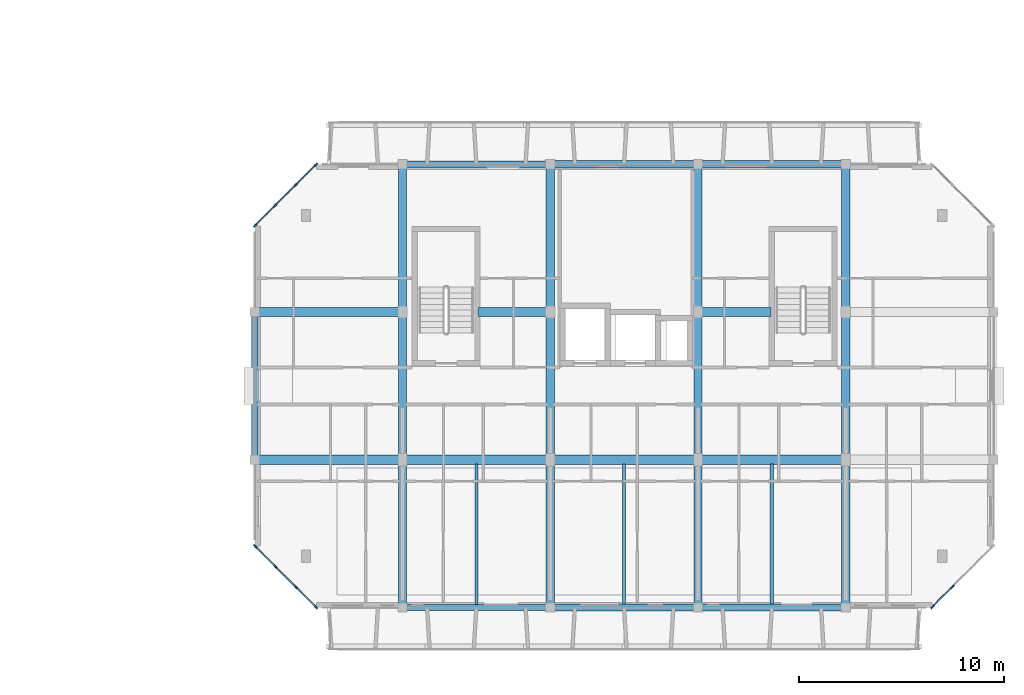
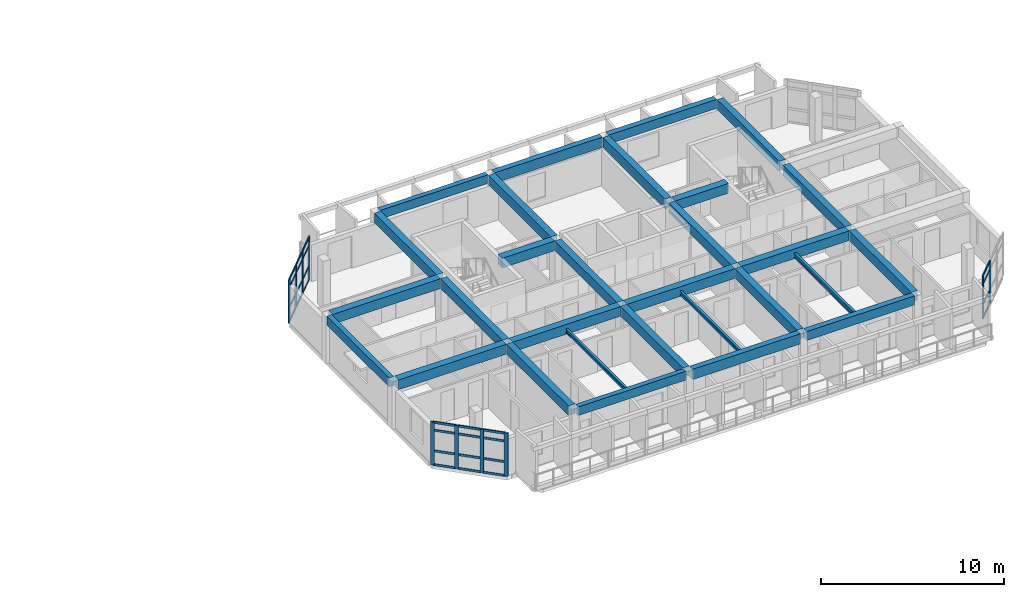
# One storey, part 5 of 31: 38 members, 29 beams, 3 elements without a shape of their own.
"""IFC4 building model written with IfcOpenShell, lengths in metres."""

import ifcopenshell
import ifcopenshell.guid

model = None  # the IFC model being written
_history = None  # IfcOwnerHistory: only IFC2X3 demands one
_inside = {}  # id of a spatial element -> (the spatial element, [elements in it])
_under = {}  # id of a project, library or spatial element -> (it, [spatial elements below it])
_declared = {}  # id of a project -> (the project, [libraries it declares])
_typed = {}  # id of a type object -> (the type object, [elements of that type])
_made_of = {}  # id of a material, layer set ... -> (it, [elements and type objects made of it])


def new_model(schema):
    """Start an empty IFC model of exactly this schema.

    Asked for "IFC4X3", IfcOpenShell would pick the latest addendum, in which some entities
    have other attributes; the version numbers below select the first issue.
    IFC2X3 requires an IfcOwnerHistory on every rooted entity: one is made here for all.
    """
    global model, _history
    if schema == "IFC4X3":
        model = ifcopenshell.file(schema_version=(4, 3, 0, 0))
    else:
        model = ifcopenshell.file(schema=schema)
    _inside.clear()
    _under.clear()
    _declared.clear()
    _typed.clear()
    _made_of.clear()
    _history = None
    if model.schema == "IFC2X3":
        org = make("IfcOrganization", Name="unknown")
        user = make(
            "IfcPersonAndOrganization",
            ThePerson=make("IfcPerson", FamilyName="unknown"),
            TheOrganization=org,
        )
        app = make(
            "IfcApplication",
            ApplicationDeveloper=org,
            Version="unknown",
            ApplicationFullName="unknown",
            ApplicationIdentifier="unknown",
        )
        _history = make(
            "IfcOwnerHistory",
            OwningUser=user,
            OwningApplication=app,
            ChangeAction="ADDED",
            CreationDate=0,
        )
    return model


def make(cls, **values):
    """One entity of the class cls with the attributes given. An attribute that is None is left unset."""
    return model.create_entity(
        cls, **{name: value for name, value in values.items() if value is not None}
    )


def rooted(cls, **values):
    """An entity with a GlobalId (a new one), such as an element, a storey or a relation."""
    return make(cls, GlobalId=ifcopenshell.guid.new(), OwnerHistory=_history, **values)


def si_unit(unit_type, name, prefix=None):
    """IfcSIUnit, for example si_unit("LENGTHUNIT", "METRE", prefix="MILLI")."""
    return make("IfcSIUnit", UnitType=unit_type, Prefix=prefix, Name=name)


def assignment(units):
    """IfcUnitAssignment: the units of a project."""
    return None if units is None else make("IfcUnitAssignment", Units=units)


def point(xyz):
    """IfcCartesianPoint."""
    return None if xyz is None else make("IfcCartesianPoint", Coordinates=xyz)


def direction(xyz):
    """IfcDirection."""
    return None if xyz is None else make("IfcDirection", DirectionRatios=xyz)


def frame(location, z_axis=None, x_axis=None):
    """IfcAxis2Placement3D, a coordinate frame: its origin and axes. An axis left out is left unset."""
    return make(
        "IfcAxis2Placement3D",
        Location=point(location),
        Axis=direction(z_axis),
        RefDirection=direction(x_axis),
    )


def frame_2d(location, x_axis=None):
    """IfcAxis2Placement2D, a coordinate frame in the plane: its origin and x axis."""
    return make(
        "IfcAxis2Placement2D", Location=point(location), RefDirection=direction(x_axis)
    )


def origin():
    """The frame at (0, 0, 0) with its axes left unset."""
    return frame((0.0, 0.0, 0.0))


def origin_2d():
    """The frame at (0, 0) in the plane with its x axis left unset."""
    return frame_2d((0.0, 0.0))


def place(relative_to, where):
    """IfcLocalPlacement: puts the frame where relative to a parent placement (None: the world)."""
    return make(
        "IfcLocalPlacement", PlacementRelTo=relative_to, RelativePlacement=where
    )


def context(
    kind, dimensions, precision=None, world=None, true_north=None, identifier=None
):
    """IfcGeometricRepresentationContext, for example the 3D "Model" context."""
    return make(
        "IfcGeometricRepresentationContext",
        ContextIdentifier=identifier,
        ContextType=kind,
        CoordinateSpaceDimension=dimensions,
        Precision=precision,
        WorldCoordinateSystem=world,
        TrueNorth=true_north,
    )


def subcontext(parent, identifier, kind, view, scale=None):
    """IfcGeometricRepresentationSubContext, for example "Body" below "Model"."""
    return make(
        "IfcGeometricRepresentationSubContext",
        ContextIdentifier=identifier,
        ContextType=kind,
        ParentContext=parent,
        TargetScale=scale,
        TargetView=view,
    )


def project(units=None, contexts=None):
    """IfcProject with its units and contexts."""
    return rooted(
        "IfcProject",
        Name="project",
        RepresentationContexts=contexts,
        UnitsInContext=assignment(units),
    )


def spatial(cls, under=None, at=None, **own):
    """A site, building, storey or space (cls), placed at a placement, below another one or the project."""
    s = rooted(cls, ObjectPlacement=at, **own)
    if under is not None:
        _under.setdefault(under.id(), (under, []))[1].append(s)
    return s


def profile(cls, at=None, kind="AREA", **sizes):
    """A parametric profile (cls). Its sizes go by their IFC names, for example OverallWidth=200.0."""
    return make(cls, ProfileType=kind, Position=at, **sizes)


def rectangle(**sizes):
    """IfcRectangleProfileDef."""
    return profile("IfcRectangleProfileDef", **sizes)


def i_section(**sizes):
    """IfcIShapeProfileDef."""
    return profile("IfcIShapeProfileDef", **sizes)


def extrude(swept, where, along, depth):
    """IfcExtrudedAreaSolid: the profile swept, set in the frame where, extruded along a direction by depth."""
    return make(
        "IfcExtrudedAreaSolid",
        SweptArea=swept,
        Position=where,
        ExtrudedDirection=direction(along),
        Depth=depth,
    )


def shape(context_of_items, identifier, shape_type, items):
    """IfcShapeRepresentation: the items that make up one representation, for example the "Body"."""
    return make(
        "IfcShapeRepresentation",
        ContextOfItems=context_of_items,
        RepresentationIdentifier=identifier,
        RepresentationType=shape_type,
        Items=items,
    )


def material(Name=None, Category=None):
    """IfcMaterial."""
    return make("IfcMaterial", Name=Name, Category=Category)


def layer(
    of_material, thickness, ventilated=None, Name=None, Category=None, Priority=None
):
    """IfcMaterialLayer: one layer of a wall or slab, of a material (None: an air gap)."""
    return make(
        "IfcMaterialLayer",
        Material=of_material,
        LayerThickness=thickness,
        IsVentilated=ventilated,
        Name=Name,
        Category=Category,
        Priority=Priority,
    )


def layer_set(layers, Name=None):
    """IfcMaterialLayerSet."""
    return make("IfcMaterialLayerSet", MaterialLayers=layers, LayerSetName=Name)


def material_profile(
    of_material, cross_section, Name=None, Category=None, Priority=None
):
    """IfcMaterialProfile: a cross section and its material."""
    return make(
        "IfcMaterialProfile",
        Name=Name,
        Material=of_material,
        Profile=cross_section,
        Priority=Priority,
        Category=Category,
    )


def profile_set(profiles, Name=None, composite=None):
    """IfcMaterialProfileSet."""
    return make(
        "IfcMaterialProfileSet",
        Name=Name,
        MaterialProfiles=profiles,
        CompositeProfile=composite,
    )


def made_of(thing, what):
    """Note that an element or type object is made of a material, layer set ...; save() writes the relation."""
    if what is not None:
        _made_of.setdefault(what.id(), (what, []))[1].append(thing)
    return thing


def type_object(cls, material=None, **own):
    """A type object (cls), such as IfcWallType, which elements share."""
    return made_of(rooted(cls, **own), material)


def element(
    cls,
    number,
    at=None,
    inside=None,
    cuts=None,
    type_object=None,
    material=None,
    context=None,
    identifier="Body",
    shape_type=None,
    held_by="IfcProductDefinitionShape",
    body=None,
    shapes=None,
    **own,
):
    """One element of the class cls, such as IfcWall. Its Tag is "e" and its number.

    at: its placement. inside: the storey or other place that contains it. cuts: it is an
    opening in that element (IfcRelVoidsElement). A single representation is given by context,
    identifier, shape_type and body (its items); several are given by shapes. held_by: the class
    of the entity that holds the representations. save() writes the other relations.
    """
    e = rooted(cls, Tag="e%d" % number, ObjectPlacement=at, **own)
    if body is not None:
        shapes = [shape(context, identifier, shape_type, body)]
    if shapes is not None:
        e.Representation = make(held_by, Representations=shapes)
    if inside is not None:
        _inside.setdefault(inside.id(), (inside, []))[1].append(e)
    if cuts is not None:
        rooted(
            "IfcRelVoidsElement", RelatingBuildingElement=cuts, RelatedOpeningElement=e
        )
    if type_object is not None:
        _typed.setdefault(type_object.id(), (type_object, []))[1].append(e)
    return made_of(e, material)


def aggregate(whole, parts):
    """IfcRelAggregates: a whole, such as a stair, and the parts it consists of."""
    return rooted("IfcRelAggregates", RelatingObject=whole, RelatedObjects=parts)


def save(model, path):
    """Write the relations noted so far, then the file.

    IfcRelAggregates (storeys below a building ...), IfcRelContainedInSpatialStructure (elements
    in a storey), IfcRelDefinesByType, IfcRelAssociatesMaterial and IfcRelDeclares: one each for
    every whole, place, type object, material and project.
    """
    for whole, parts in _under.values():
        aggregate(whole, parts)
    for where, things in _inside.values():
        rooted(
            "IfcRelContainedInSpatialStructure",
            RelatedElements=things,
            RelatingStructure=where,
        )
    for kind, things in _typed.values():
        rooted("IfcRelDefinesByType", RelatedObjects=things, RelatingType=kind)
    for what, things in _made_of.values():
        rooted("IfcRelAssociatesMaterial", RelatedObjects=things, RelatingMaterial=what)
    for by, libraries in _declared.values():
        rooted("IfcRelDeclares", RelatingContext=by, RelatedDefinitions=libraries)
    model.write(path)


model = new_model("IFC4")

# Units and contexts
model_context = context("Model", 3, precision=1e-05, world=origin(), true_north=direction((0.0, 1.0)))
body_context = subcontext(model_context, "Body", "Model", "MODEL_VIEW")
ifc_project = project(units=[si_unit("LENGTHUNIT", "METRE"), si_unit("AREAUNIT", "SQUARE_METRE"), si_unit("VOLUMEUNIT", "CUBIC_METRE"), si_unit("PLANEANGLEUNIT", "RADIAN"), si_unit("MASSUNIT", "GRAM", prefix="KILO")], contexts=[model_context])

# Site, building, storey
site_placement = place(None, origin())
site = spatial("IfcSite", under=ifc_project, at=site_placement, CompositionType="ELEMENT")
building_placement = place(site_placement, origin())
building = spatial("IfcBuilding", under=site, at=building_placement, Name="Ochrevale Crest", CompositionType="ELEMENT")
storey_placement = place(building_placement, frame((0.0, 0.0, 37.050048828125)))
storey = spatial("IfcBuildingStorey", under=building, at=storey_placement, Name="L11", CompositionType="ELEMENT", Elevation=37.050048828125)

# Beams
ifc_material_1 = material(Name="Precast concrete C50/60", Category="concrete")
ifc_material_profile_1 = material_profile(ifc_material_1, rectangle(XDim=0.39990234375, YDim=0.64990234375, at=origin_2d()), Name="PC 400x650")
ifc_profile_set_1 = profile_set([ifc_material_profile_1], Name="Precast concrete C50/60")
beam_type_1 = type_object("IfcBeamType", Name="BM-PC400x650", PredefinedType="BEAM", material=ifc_profile_set_1)
for number, where, z_axis, x_axis, name in (
    (1, (136.800048828125, 14.60498046875, 2.824951171875), (0.0, 1.0, 0.0), (-1.0, 0.0, 0.0), "Block C L11 N-S beam X=136.8"),
    (2, (136.800048828125, 21.804931640625, 2.824951171875), (0.0, 1.0, 0.0), (-1.0, 0.0, 0.0), "Block C L11 N-S beam X=136.8"),
    (3, (136.800048828125, 29.0048828125, 2.824951171875), (0.0, 1.0, 0.0), (-1.0, 0.0, 0.0), "Block C L11 N-S beam X=136.8"),
    (4, (144.0, 14.60498046875, 2.824951171875), (0.0, 1.0, 0.0), (-1.0, 0.0, 0.0), "Block C L11 N-S beam X=144.0"),
    (5, (144.0, 21.804931640625, 2.824951171875), (0.0, 1.0, 0.0), (-1.0, 0.0, 0.0), "Block C L11 N-S beam X=144.0"),
    (6, (144.0, 29.0048828125, 2.824951171875), (0.0, 1.0, 0.0), (-1.0, 0.0, 0.0), "Block C L11 N-S beam X=144.0"),
    (7, (151.199951171875, 14.60498046875, 2.824951171875), (0.0, 1.0, 0.0), (-1.0, 0.0, 0.0), "Block C L11 N-S beam X=151.2"),
    (8, (151.199951171875, 21.804931640625, 2.824951171875), (0.0, 1.0, 0.0), (-1.0, 0.0, 0.0), "Block C L11 N-S beam X=151.2"),
    (9, (151.199951171875, 29.0048828125, 2.824951171875), (0.0, 1.0, 0.0), (-1.0, 0.0, 0.0), "Block C L11 N-S beam X=151.2"),
    (10, (158.39990234375, 14.60498046875, 2.824951171875), (0.0, 1.0, 0.0), (-1.0, 0.0, 0.0), "Block C L11 N-S beam X=158.4"),
    (11, (158.39990234375, 21.804931640625, 2.824951171875), (0.0, 1.0, 0.0), (-1.0, 0.0, 0.0), "Block C L11 N-S beam X=158.4"),
    (12, (158.39990234375, 29.0048828125, 2.824951171875), (0.0, 1.0, 0.0), (-1.0, 0.0, 0.0), "Block C L11 N-S beam X=158.4"),
):
    element("IfcBeam", number, at=place(storey_placement, frame(where, z_axis=z_axis, x_axis=x_axis)), inside=storey, type_object=beam_type_1, Name=name, PredefinedType="BEAM", context=body_context, shape_type="SweptSolid", body=[
        extrude(rectangle(XDim=0.39990234375, YDim=0.64990234375, at=origin_2d()), origin(), (0.0, 0.0, 1.0), 6.7900390625),
    ])
ifc_material_2 = material(Name="Concrete C50/60", Category="concrete")
ifc_material_profile_2 = material_profile(ifc_material_2, rectangle(XDim=0.449951171875, YDim=0.64990234375, at=origin_2d()), Name="RC 450x650")
ifc_profile_set_2 = profile_set([ifc_material_profile_2], Name="Concrete C50/60")
beam_type_2 = type_object("IfcBeamType", Name="BM-PG450x650", PredefinedType="USERDEFINED", material=ifc_profile_set_2)
for number, where, z_axis, x_axis, name in (
    (13, (129.800048828125, 21.60009765625, 2.824951171875), (1.0, 0.0, 0.0), (0.0, 1.0, 0.0), "Block C L11 E-W beam Y=21.6"),
    (14, (137.0, 21.60009765625, 2.824951171875), (1.0, 0.0, 0.0), (0.0, 1.0, 0.0), "Block C L11 E-W beam Y=21.6"),
    (15, (144.199951171875, 21.60009765625, 2.824951171875), (1.0, 0.0, 0.0), (0.0, 1.0, 0.0), "Block C L11 E-W beam Y=21.6"),
    (16, (151.39990234375, 21.60009765625, 2.824951171875), (1.0, 0.0, 0.0), (0.0, 1.0, 0.0), "Block C L11 E-W beam Y=21.6"),
    (17, (129.800048828125, 28.800048828125, 2.824951171875), (1.0, 0.0, 0.0), (0.0, 1.0, 0.0), "Block C L11 E-W beam Y=28.8"),
):
    element("IfcBeam", number, at=place(storey_placement, frame(where, z_axis=z_axis, x_axis=x_axis)), inside=storey, type_object=beam_type_2, Name=name, ObjectType="GIRDER", PredefinedType="USERDEFINED", context=body_context, shape_type="SweptSolid", body=[
        extrude(rectangle(XDim=0.449951171875, YDim=0.64990234375, at=origin_2d()), origin(), (0.0, 0.0, 1.0), 6.800048828125),
    ])
beam_1_placement = place(storey_placement, frame((140.489990234375, 28.800048828125, 2.824951171875), z_axis=(1.0, 0.0, 0.0), x_axis=(0.0, 1.0, 0.0)))
element("IfcBeam", 18, at=beam_1_placement, inside=storey, type_object=beam_type_2, Name="Block C L11 E-W beam Y=28.8", ObjectType="GIRDER", PredefinedType="USERDEFINED", context=body_context, shape_type="SweptSolid", body=[
    extrude(rectangle(XDim=0.449951171875, YDim=0.64990234375, at=origin_2d()), origin(), (0.0, 0.0, 1.0), 3.31005859375),
])
beam_2_placement = place(storey_placement, frame((151.39990234375, 28.800048828125, 2.824951171875), z_axis=(1.0, 0.0, 0.0), x_axis=(0.0, 1.0, 0.0)))
element("IfcBeam", 19, at=beam_2_placement, inside=storey, type_object=beam_type_2, Name="Block C L11 E-W beam Y=28.8", ObjectType="GIRDER", PredefinedType="USERDEFINED", context=body_context, shape_type="SweptSolid", body=[
    extrude(rectangle(XDim=0.449951171875, YDim=0.64990234375, at=origin_2d()), origin(), (0.0, 0.0, 1.0), 3.360107421875),
])
ifc_material_3 = material(Name="Precast concrete C40/50", Category="concrete")
ifc_material_profile_3 = material_profile(ifc_material_3, rectangle(XDim=0.300048828125, YDim=0.580078125, at=origin_2d()), Name="PC 300x580")
ifc_profile_set_3 = profile_set([ifc_material_profile_3], Name="Precast concrete C40/50")
beam_type_3 = type_object("IfcBeamType", Name="BM-SP300x580", PredefinedType="SPANDREL", material=ifc_profile_set_3)
for number, where, z_axis, x_axis, name in (
    (20, (137.0, 14.39990234375, 2.85986328125), (1.0, 0.0, 0.0), (0.0, 1.0, 0.0), "Block C L11 E-W beam Y=14.4"),
    (21, (137.0, 36.0, 2.85986328125), (1.0, 0.0, 0.0), (0.0, 1.0, 0.0), "Block C L11 E-W beam Y=36.0"),
):
    element("IfcBeam", number, at=place(storey_placement, frame(where, z_axis=z_axis, x_axis=x_axis)), inside=storey, type_object=beam_type_3, Name=name, PredefinedType="SPANDREL", context=body_context, shape_type="SweptSolid", body=[
        extrude(rectangle(XDim=0.300048828125, YDim=0.580078125, at=origin_2d()), origin(), (0.0, 0.0, 1.0), 6.800048828125),
    ])
ifc_material_profile_4 = material_profile(ifc_material_3, rectangle(XDim=0.300048828125, YDim=0.60009765625, at=origin_2d()), Name="PC 300x600")
ifc_profile_set_4 = profile_set([ifc_material_profile_4], Name="Precast concrete C40/50")
beam_type_4 = type_object("IfcBeamType", Name="BM-SP300x600", PredefinedType="SPANDREL", material=ifc_profile_set_4)
beam_3_placement = place(storey_placement, frame((129.60009765625, 21.804931640625, 2.849853515625), z_axis=(0.0, 1.0, 0.0), x_axis=(-1.0, 0.0, 0.0)))
element("IfcBeam", 22, at=beam_3_placement, inside=storey, type_object=beam_type_4, Name="Block C L11 N-S beam X=129.6", PredefinedType="SPANDREL", context=body_context, shape_type="SweptSolid", body=[
    extrude(rectangle(XDim=0.300048828125, YDim=0.60009765625, at=origin_2d()), origin(), (0.0, 0.0, 1.0), 6.7900390625),
])
ifc_material_profile_5 = material_profile(ifc_material_3, rectangle(XDim=0.35009765625, YDim=0.60009765625, at=origin_2d()), Name="PC 350x600")
ifc_profile_set_5 = profile_set([ifc_material_profile_5], Name="Precast concrete C40/50")
beam_type_5 = type_object("IfcBeamType", Name="BM-SP350x600", PredefinedType="SPANDREL", material=ifc_profile_set_5)
for number, where, z_axis, x_axis, name in (
    (23, (151.39990234375, 14.39990234375, 2.849853515625), (1.0, 0.0, 0.0), (0.0, 1.0, 0.0), "Block C L11 E-W beam Y=14.4"),
    (24, (151.39990234375, 36.0, 2.849853515625), (1.0, 0.0, 0.0), (0.0, 1.0, 0.0), "Block C L11 E-W beam Y=36.0"),
):
    element("IfcBeam", number, at=place(storey_placement, frame(where, z_axis=z_axis, x_axis=x_axis)), inside=storey, type_object=beam_type_5, Name=name, PredefinedType="SPANDREL", context=body_context, shape_type="SweptSolid", body=[
        extrude(rectangle(XDim=0.35009765625, YDim=0.60009765625, at=origin_2d()), origin(), (0.0, 0.0, 1.0), 6.800048828125),
    ])
ifc_material_profile_6 = material_profile(ifc_material_3, rectangle(XDim=0.35009765625, YDim=0.679931640625, at=origin_2d()), Name="PC 350x680")
ifc_profile_set_6 = profile_set([ifc_material_profile_6], Name="Precast concrete C40/50")
beam_type_6 = type_object("IfcBeamType", Name="BM-SP350x680", PredefinedType="SPANDREL", material=ifc_profile_set_6)
for number, where, z_axis, x_axis, name in (
    (25, (144.199951171875, 14.39990234375, 2.81005859375), (1.0, 0.0, 0.0), (0.0, 1.0, 0.0), "Block C L11 E-W beam Y=14.4"),
    (26, (144.199951171875, 36.0, 2.81005859375), (1.0, 0.0, 0.0), (0.0, 1.0, 0.0), "Block C L11 E-W beam Y=36.0"),
):
    element("IfcBeam", number, at=place(storey_placement, frame(where, z_axis=z_axis, x_axis=x_axis)), inside=storey, type_object=beam_type_6, Name=name, PredefinedType="SPANDREL", context=body_context, shape_type="SweptSolid", body=[
        extrude(rectangle(XDim=0.35009765625, YDim=0.679931640625, at=origin_2d()), origin(), (0.0, 0.0, 1.0), 6.800048828125),
    ])
ifc_material_4 = material(Name="Steel S355", Category="steel")
ifc_material_profile_7 = material_profile(ifc_material_4, i_section(OverallWidth=0.14599609375, OverallDepth=0.251708984375, WebThickness=0.006103515625, FlangeThickness=0.008544921875, FilletRadius=0.0087890625, at=origin_2d()), Name="250UB31.4")
ifc_profile_set_7 = profile_set([ifc_material_profile_7], Name="Steel S355")
beam_type_7 = type_object("IfcBeamType", Name="BM-UB250A", PredefinedType="JOIST", material=ifc_profile_set_7)
beam_4_placement = place(storey_placement, frame((140.39990234375, 14.5380859375, 2.749267578125), z_axis=(0.0, 1.0, 0.0), x_axis=(-1.0, 0.0, 0.0)))
element("IfcBeam", 27, at=beam_4_placement, inside=storey, type_object=beam_type_7, Name="Block C L11 composite plank trimmer beam 2", PredefinedType="JOIST", context=body_context, shape_type="SweptSolid", body=[
    extrude(i_section(OverallWidth=0.14599609375, OverallDepth=0.251708984375, WebThickness=0.006103515625, FlangeThickness=0.008544921875, FilletRadius=0.0087890625, at=origin_2d()), origin(), (0.0, 0.0, 1.0), 6.848876953125),
])
ifc_material_profile_8 = material_profile(ifc_material_4, i_section(OverallWidth=0.146484375, OverallDepth=0.256103515625, WebThickness=0.00634765625, FlangeThickness=0.010986328125, FilletRadius=0.0087890625, at=origin_2d()), Name="250UB37.3")
ifc_profile_set_8 = profile_set([ifc_material_profile_8], Name="Steel S355")
beam_type_8 = type_object("IfcBeamType", Name="BM-UB250B", PredefinedType="JOIST", material=ifc_profile_set_8)
beam_5_placement = place(storey_placement, frame((147.60009765625, 14.56298828125, 2.746826171875), z_axis=(0.0, 1.0, 0.0), x_axis=(-1.0, 0.0, 0.0)))
element("IfcBeam", 28, at=beam_5_placement, inside=storey, type_object=beam_type_8, Name="Block C L11 composite plank trimmer beam 3", PredefinedType="JOIST", context=body_context, shape_type="SweptSolid", body=[
    extrude(i_section(OverallWidth=0.146484375, OverallDepth=0.256103515625, WebThickness=0.00634765625, FlangeThickness=0.010986328125, FilletRadius=0.0087890625, at=origin_2d()), origin(), (0.0, 0.0, 1.0), 6.823974609375),
])
ifc_material_profile_9 = material_profile(ifc_material_4, i_section(OverallWidth=0.1650390625, OverallDepth=0.3037109375, WebThickness=0.006103515625, FlangeThickness=0.01025390625, FilletRadius=0.011474609375, at=origin_2d()), Name="310UB40.4")
ifc_profile_set_9 = profile_set([ifc_material_profile_9], Name="Steel S355")
beam_type_9 = type_object("IfcBeamType", Name="BM-UB310A", PredefinedType="BEAM", material=ifc_profile_set_9)
beam_6_placement = place(storey_placement, frame((154.800048828125, 14.56298828125, 2.72314453125), z_axis=(0.0, 1.0, 0.0), x_axis=(-1.0, 0.0, 0.0)))
element("IfcBeam", 29, at=beam_6_placement, inside=storey, type_object=beam_type_9, Name="Block C L11 composite plank trimmer beam 4", PredefinedType="BEAM", context=body_context, shape_type="SweptSolid", body=[
    extrude(i_section(OverallWidth=0.1650390625, OverallDepth=0.3037109375, WebThickness=0.006103515625, FlangeThickness=0.01025390625, FilletRadius=0.011474609375, at=origin_2d()), origin(), (0.0, 0.0, 1.0), 6.823974609375),
])

# Curtain wall, members
ifc_material_5 = material(Name="Anodised aluminium 6063-T5", Category="aluminium")
ifc_layer_1 = layer(ifc_material_5, 0.14990234375)
ifc_layer_set_1 = layer_set([ifc_layer_1], Name="Anodised aluminium 6063-T5")
curtain_wall_type_1 = type_object("IfcCurtainWallType", Name="CW-WG-360x285", PredefinedType="NOTDEFINED", material=ifc_layer_set_1)
curtain_wall_1_placement = place(storey_placement, origin())
curtain_wall_1 = element("IfcCurtainWall", 30, at=curtain_wall_1_placement, inside=storey, type_object=curtain_wall_type_1, Name="Block C L11 chamfered corner wintergarden curtain wall 2", PredefinedType="NOTDEFINED")
ifc_material_profile_10 = material_profile(ifc_material_5, rectangle(XDim=0.074951171875, YDim=0.219970703125, at=origin_2d()), Name="ALU 75x220")
ifc_profile_set_10 = profile_set([ifc_material_profile_10], Name="Anodised aluminium 6063-T5")
member_type_1 = type_object("IfcMemberType", Name="CW-MUL-75x220", PredefinedType="MULLION", material=ifc_profile_set_10)
member_1_placement = place(storey_placement, frame((162.62646484375, 14.426513671875, 0.0), z_axis=(0.0, 0.0, 1.0), x_axis=(-0.707106781187, 0.707106781187, 0.0)))
member_1 = element("IfcMember", 31, at=member_1_placement, type_object=member_type_1, Name="CW18 mullion 1", PredefinedType="MULLION", context=body_context, shape_type="SweptSolid", body=[
    extrude(rectangle(XDim=0.074951171875, YDim=0.219970703125, at=origin_2d()), origin(), (0.0, 0.0, 1.0), 2.875),
])
member_2_placement = place(storey_placement, frame((163.60009765625, 15.39990234375, 0.0), z_axis=(0.0, 0.0, 1.0), x_axis=(-0.707106781187, 0.707106781187, 0.0)))
member_2 = element("IfcMember", 32, at=member_2_placement, type_object=member_type_1, Name="CW18 mullion 2", PredefinedType="MULLION", context=body_context, shape_type="SweptSolid", body=[
    extrude(rectangle(XDim=0.074951171875, YDim=0.219970703125, at=origin_2d()), origin(), (0.0, 0.0, 1.0), 2.875),
])

ifc_layer_2 = layer(ifc_material_5, 0.14990234375)
ifc_layer_set_2 = layer_set([ifc_layer_2], Name="Anodised aluminium 6063-T5")
curtain_wall_type_2 = type_object("IfcCurtainWallType", Name="CW-WG-320x285", PredefinedType="NOTDEFINED", material=ifc_layer_set_2)
curtain_wall_2_placement = place(storey_placement, origin())
curtain_wall_2 = element("IfcCurtainWall", 33, at=curtain_wall_2_placement, inside=storey, type_object=curtain_wall_type_2, Name="Block C L11 chamfered corner wintergarden curtain wall 6", PredefinedType="NOTDEFINED")
member_3_placement = place(storey_placement, frame((132.573486328125, 35.973388671875, 0.0), z_axis=(0.0, 0.0, 1.0), x_axis=(0.707106781187, -0.707106781187, 0.0)))
member_3 = element("IfcMember", 34, at=member_3_placement, type_object=member_type_1, Name="CW17 mullion 1", PredefinedType="MULLION", context=body_context, shape_type="SweptSolid", body=[
    extrude(rectangle(XDim=0.074951171875, YDim=0.219970703125, at=origin_2d()), origin(), (0.0, 0.0, 1.0), 2.875),
])
member_4_placement = place(storey_placement, frame((131.60009765625, 35.0, 0.0), z_axis=(0.0, 0.0, 1.0), x_axis=(0.707106781187, -0.707106781187, 0.0)))
member_4 = element("IfcMember", 35, at=member_4_placement, type_object=member_type_1, Name="CW17 mullion 2", PredefinedType="MULLION", context=body_context, shape_type="SweptSolid", body=[
    extrude(rectangle(XDim=0.074951171875, YDim=0.219970703125, at=origin_2d()), origin(), (0.0, 0.0, 1.0), 2.875),
])
member_5_placement = place(storey_placement, frame((130.60009765625, 34.0, 0.0), z_axis=(0.0, 0.0, 1.0), x_axis=(0.707106781187, -0.707106781187, 0.0)))
member_5 = element("IfcMember", 36, at=member_5_placement, type_object=member_type_1, Name="CW17 mullion 3", PredefinedType="MULLION", context=body_context, shape_type="SweptSolid", body=[
    extrude(rectangle(XDim=0.074951171875, YDim=0.219970703125, at=origin_2d()), origin(), (0.0, 0.0, 1.0), 2.875),
])
member_6_placement = place(storey_placement, frame((129.62646484375, 33.026611328125, 0.0), z_axis=(0.0, 0.0, 1.0), x_axis=(0.707106781187, -0.707106781187, 0.0)))
member_6 = element("IfcMember", 37, at=member_6_placement, type_object=member_type_1, Name="CW17 mullion 4", PredefinedType="MULLION", context=body_context, shape_type="SweptSolid", body=[
    extrude(rectangle(XDim=0.074951171875, YDim=0.219970703125, at=origin_2d()), origin(), (0.0, 0.0, 1.0), 2.875),
])

ifc_layer_3 = layer(ifc_material_5, 0.14990234375)
ifc_layer_set_3 = layer_set([ifc_layer_3], Name="Anodised aluminium 6063-T5")
curtain_wall_type_3 = type_object("IfcCurtainWallType", Name="CW-WG-420x285", PredefinedType="NOTDEFINED", material=ifc_layer_set_3)
curtain_wall_3_placement = place(storey_placement, origin())
curtain_wall_3 = element("IfcCurtainWall", 38, at=curtain_wall_3_placement, inside=storey, type_object=curtain_wall_type_3, Name="Block C L11 chamfered corner wintergarden curtain wall 8", PredefinedType="NOTDEFINED")
member_7_placement = place(storey_placement, frame((129.62646484375, 17.37353515625, 0.0), z_axis=(0.0, 0.0, 1.0), x_axis=(0.707106781187, 0.707106781187, 0.0)))
member_7 = element("IfcMember", 39, at=member_7_placement, type_object=member_type_1, Name="CW22 mullion 1", PredefinedType="MULLION", context=body_context, shape_type="SweptSolid", body=[
    extrude(rectangle(XDim=0.074951171875, YDim=0.219970703125, at=origin_2d()), origin(), (0.0, 0.0, 1.0), 2.875),
])
member_8_placement = place(storey_placement, frame((130.60009765625, 16.39990234375, 0.0), z_axis=(0.0, 0.0, 1.0), x_axis=(0.707106781187, 0.707106781187, 0.0)))
member_8 = element("IfcMember", 40, at=member_8_placement, type_object=member_type_1, Name="CW22 mullion 2", PredefinedType="MULLION", context=body_context, shape_type="SweptSolid", body=[
    extrude(rectangle(XDim=0.074951171875, YDim=0.219970703125, at=origin_2d()), origin(), (0.0, 0.0, 1.0), 2.875),
])
member_9_placement = place(storey_placement, frame((131.60009765625, 15.39990234375, 0.0), z_axis=(0.0, 0.0, 1.0), x_axis=(0.707106781187, 0.707106781187, 0.0)))
member_9 = element("IfcMember", 41, at=member_9_placement, type_object=member_type_1, Name="CW22 mullion 3", PredefinedType="MULLION", context=body_context, shape_type="SweptSolid", body=[
    extrude(rectangle(XDim=0.074951171875, YDim=0.219970703125, at=origin_2d()), origin(), (0.0, 0.0, 1.0), 2.875),
])
member_10_placement = place(storey_placement, frame((132.573486328125, 14.426513671875, 0.0), z_axis=(0.0, 0.0, 1.0), x_axis=(0.707106781187, 0.707106781187, 0.0)))
member_10 = element("IfcMember", 42, at=member_10_placement, type_object=member_type_1, Name="CW22 mullion 4", PredefinedType="MULLION", context=body_context, shape_type="SweptSolid", body=[
    extrude(rectangle(XDim=0.074951171875, YDim=0.219970703125, at=origin_2d()), origin(), (0.0, 0.0, 1.0), 2.875),
])

# Member
ifc_material_profile_11 = material_profile(ifc_material_5, rectangle(XDim=0.06005859375, YDim=0.14990234375, at=origin_2d()), Name="ALU 60x150")
ifc_profile_set_11 = profile_set([ifc_material_profile_11], Name="Anodised aluminium 6063-T5")
member_type_2 = type_object("IfcMemberType", Name="CW-TRN-60x150", PredefinedType="USERDEFINED", material=ifc_profile_set_11)
member_11_placement = place(storey_placement, frame((162.653076171875, 14.453125, 0.030029296875), z_axis=(0.707106781187, 0.707106781187, 0.0), x_axis=(-0.707106781187, 0.707106781187, 0.0)))
member_11 = element("IfcMember", 43, at=member_11_placement, type_object=member_type_2, Name="CW18 transom 1.1", ObjectType="TRANSOM", PredefinedType="USERDEFINED", context=body_context, shape_type="SweptSolid", body=[
    extrude(rectangle(XDim=0.06005859375, YDim=0.14990234375, at=origin_2d()), origin(), (0.0, 0.0, 1.0), 1.3017578125),
])

member_12_placement = place(storey_placement, frame((162.653076171875, 14.453125, 0.949951171875), z_axis=(0.707106781187, 0.707106781187, 0.0), x_axis=(-0.707106781187, 0.707106781187, 0.0)))
member_12 = element("IfcMember", 44, at=member_12_placement, type_object=member_type_2, Name="CW18 transom 1.2", ObjectType="TRANSOM", PredefinedType="USERDEFINED", context=body_context, shape_type="SweptSolid", body=[
    extrude(rectangle(XDim=0.06005859375, YDim=0.14990234375, at=origin_2d()), origin(), (0.0, 0.0, 1.0), 1.3017578125),
])

member_13_placement = place(storey_placement, frame((162.653076171875, 14.453125, 2.324951171875), z_axis=(0.707106781187, 0.707106781187, 0.0), x_axis=(-0.707106781187, 0.707106781187, 0.0)))
member_13 = element("IfcMember", 45, at=member_13_placement, type_object=member_type_2, Name="CW18 transom 1.3", ObjectType="TRANSOM", PredefinedType="USERDEFINED", context=body_context, shape_type="SweptSolid", body=[
    extrude(rectangle(XDim=0.06005859375, YDim=0.14990234375, at=origin_2d()), origin(), (0.0, 0.0, 1.0), 1.3017578125),
])

member_14_placement = place(storey_placement, frame((162.653076171875, 14.453125, 2.844970703125), z_axis=(0.707106781187, 0.707106781187, 0.0), x_axis=(-0.707106781187, 0.707106781187, 0.0)))
member_14 = element("IfcMember", 46, at=member_14_placement, type_object=member_type_2, Name="CW18 transom 1.4", ObjectType="TRANSOM", PredefinedType="USERDEFINED", context=body_context, shape_type="SweptSolid", body=[
    extrude(rectangle(XDim=0.06005859375, YDim=0.14990234375, at=origin_2d()), origin(), (0.0, 0.0, 1.0), 1.3017578125),
])

aggregate(curtain_wall_1, [member_1, member_2, member_11, member_12, member_13, member_14])

member_15_placement = place(storey_placement, frame((132.546875, 35.947021484375, 0.030029296875), z_axis=(-0.707106781187, -0.707106781187, 0.0), x_axis=(0.707106781187, -0.707106781187, 0.0)))
member_15 = element("IfcMember", 47, at=member_15_placement, type_object=member_type_2, Name="CW17 transom 1.1", ObjectType="TRANSOM", PredefinedType="USERDEFINED", context=body_context, shape_type="SweptSolid", body=[
    extrude(rectangle(XDim=0.06005859375, YDim=0.14990234375, at=origin_2d()), origin(), (0.0, 0.0, 1.0), 1.3017578125),
])

member_16_placement = place(storey_placement, frame((132.546875, 35.947021484375, 0.949951171875), z_axis=(-0.707106781187, -0.707106781187, 0.0), x_axis=(0.707106781187, -0.707106781187, 0.0)))
member_16 = element("IfcMember", 48, at=member_16_placement, type_object=member_type_2, Name="CW17 transom 1.2", ObjectType="TRANSOM", PredefinedType="USERDEFINED", context=body_context, shape_type="SweptSolid", body=[
    extrude(rectangle(XDim=0.06005859375, YDim=0.14990234375, at=origin_2d()), origin(), (0.0, 0.0, 1.0), 1.3017578125),
])

member_17_placement = place(storey_placement, frame((132.546875, 35.947021484375, 2.324951171875), z_axis=(-0.707106781187, -0.707106781187, 0.0), x_axis=(0.707106781187, -0.707106781187, 0.0)))
member_17 = element("IfcMember", 49, at=member_17_placement, type_object=member_type_2, Name="CW17 transom 1.3", ObjectType="TRANSOM", PredefinedType="USERDEFINED", context=body_context, shape_type="SweptSolid", body=[
    extrude(rectangle(XDim=0.06005859375, YDim=0.14990234375, at=origin_2d()), origin(), (0.0, 0.0, 1.0), 1.3017578125),
])

member_18_placement = place(storey_placement, frame((132.546875, 35.947021484375, 2.844970703125), z_axis=(-0.707106781187, -0.707106781187, 0.0), x_axis=(0.707106781187, -0.707106781187, 0.0)))
member_18 = element("IfcMember", 50, at=member_18_placement, type_object=member_type_2, Name="CW17 transom 1.4", ObjectType="TRANSOM", PredefinedType="USERDEFINED", context=body_context, shape_type="SweptSolid", body=[
    extrude(rectangle(XDim=0.06005859375, YDim=0.14990234375, at=origin_2d()), origin(), (0.0, 0.0, 1.0), 1.3017578125),
])

member_19_placement = place(storey_placement, frame((131.573486328125, 34.973388671875, 0.030029296875), z_axis=(-0.707197932559, -0.707015618062, 0.0), x_axis=(0.707015618062, -0.707197932559, 0.0)))
member_19 = element("IfcMember", 51, at=member_19_placement, type_object=member_type_2, Name="CW17 transom 2.1", ObjectType="TRANSOM", PredefinedType="USERDEFINED", context=body_context, shape_type="SweptSolid", body=[
    extrude(rectangle(XDim=0.06005859375, YDim=0.14990234375, at=origin_2d()), origin(), (0.0, 0.0, 1.0), 1.339111328125),
])

member_20_placement = place(storey_placement, frame((131.573486328125, 34.973388671875, 0.949951171875), z_axis=(-0.707197932559, -0.707015618062, 0.0), x_axis=(0.707015618062, -0.707197932559, 0.0)))
member_20 = element("IfcMember", 52, at=member_20_placement, type_object=member_type_2, Name="CW17 transom 2.2", ObjectType="TRANSOM", PredefinedType="USERDEFINED", context=body_context, shape_type="SweptSolid", body=[
    extrude(rectangle(XDim=0.06005859375, YDim=0.14990234375, at=origin_2d()), origin(), (0.0, 0.0, 1.0), 1.339111328125),
])

member_21_placement = place(storey_placement, frame((131.573486328125, 34.973388671875, 2.324951171875), z_axis=(-0.707197932559, -0.707015618062, 0.0), x_axis=(0.707015618062, -0.707197932559, 0.0)))
member_21 = element("IfcMember", 53, at=member_21_placement, type_object=member_type_2, Name="CW17 transom 2.3", ObjectType="TRANSOM", PredefinedType="USERDEFINED", context=body_context, shape_type="SweptSolid", body=[
    extrude(rectangle(XDim=0.06005859375, YDim=0.14990234375, at=origin_2d()), origin(), (0.0, 0.0, 1.0), 1.339111328125),
])

member_22_placement = place(storey_placement, frame((131.573486328125, 34.973388671875, 2.844970703125), z_axis=(-0.707197932559, -0.707015618062, 0.0), x_axis=(0.707015618062, -0.707197932559, 0.0)))
member_22 = element("IfcMember", 54, at=member_22_placement, type_object=member_type_2, Name="CW17 transom 2.4", ObjectType="TRANSOM", PredefinedType="USERDEFINED", context=body_context, shape_type="SweptSolid", body=[
    extrude(rectangle(XDim=0.06005859375, YDim=0.14990234375, at=origin_2d()), origin(), (0.0, 0.0, 1.0), 1.339111328125),
])

member_23_placement = place(storey_placement, frame((130.573486328125, 33.973388671875, 0.030029296875), z_axis=(-0.707106781187, -0.707106781187, 0.0), x_axis=(0.707106781187, -0.707106781187, 0.0)))
member_23 = element("IfcMember", 55, at=member_23_placement, type_object=member_type_2, Name="CW17 transom 3.1", ObjectType="TRANSOM", PredefinedType="USERDEFINED", context=body_context, shape_type="SweptSolid", body=[
    extrude(rectangle(XDim=0.06005859375, YDim=0.14990234375, at=origin_2d()), origin(), (0.0, 0.0, 1.0), 1.3017578125),
])

member_24_placement = place(storey_placement, frame((130.573486328125, 33.973388671875, 0.949951171875), z_axis=(-0.707106781187, -0.707106781187, 0.0), x_axis=(0.707106781187, -0.707106781187, 0.0)))
member_24 = element("IfcMember", 56, at=member_24_placement, type_object=member_type_2, Name="CW17 transom 3.2", ObjectType="TRANSOM", PredefinedType="USERDEFINED", context=body_context, shape_type="SweptSolid", body=[
    extrude(rectangle(XDim=0.06005859375, YDim=0.14990234375, at=origin_2d()), origin(), (0.0, 0.0, 1.0), 1.3017578125),
])

member_25_placement = place(storey_placement, frame((130.573486328125, 33.973388671875, 2.324951171875), z_axis=(-0.707106781187, -0.707106781187, 0.0), x_axis=(0.707106781187, -0.707106781187, 0.0)))
member_25 = element("IfcMember", 57, at=member_25_placement, type_object=member_type_2, Name="CW17 transom 3.3", ObjectType="TRANSOM", PredefinedType="USERDEFINED", context=body_context, shape_type="SweptSolid", body=[
    extrude(rectangle(XDim=0.06005859375, YDim=0.14990234375, at=origin_2d()), origin(), (0.0, 0.0, 1.0), 1.3017578125),
])

member_26_placement = place(storey_placement, frame((130.573486328125, 33.973388671875, 2.844970703125), z_axis=(-0.707106781187, -0.707106781187, 0.0), x_axis=(0.707106781187, -0.707106781187, 0.0)))
member_26 = element("IfcMember", 58, at=member_26_placement, type_object=member_type_2, Name="CW17 transom 3.4", ObjectType="TRANSOM", PredefinedType="USERDEFINED", context=body_context, shape_type="SweptSolid", body=[
    extrude(rectangle(XDim=0.06005859375, YDim=0.14990234375, at=origin_2d()), origin(), (0.0, 0.0, 1.0), 1.3017578125),
])

aggregate(curtain_wall_2, [member_3, member_4, member_5, member_6, member_15, member_16, member_17, member_18, member_19, member_20, member_21, member_22, member_23, member_24, member_25, member_26])

member_27_placement = place(storey_placement, frame((129.653076171875, 17.346923828125, 0.030029296875), z_axis=(0.707106781187, -0.707106781187, 0.0), x_axis=(0.707106781187, 0.707106781187, 0.0)))
member_27 = element("IfcMember", 59, at=member_27_placement, type_object=member_type_2, Name="CW22 transom 1.1", ObjectType="TRANSOM", PredefinedType="USERDEFINED", context=body_context, shape_type="SweptSolid", body=[
    extrude(rectangle(XDim=0.06005859375, YDim=0.14990234375, at=origin_2d()), origin(), (0.0, 0.0, 1.0), 1.3017578125),
])

member_28_placement = place(storey_placement, frame((129.653076171875, 17.346923828125, 0.949951171875), z_axis=(0.707106781187, -0.707106781187, 0.0), x_axis=(0.707106781187, 0.707106781187, 0.0)))
member_28 = element("IfcMember", 60, at=member_28_placement, type_object=member_type_2, Name="CW22 transom 1.2", ObjectType="TRANSOM", PredefinedType="USERDEFINED", context=body_context, shape_type="SweptSolid", body=[
    extrude(rectangle(XDim=0.06005859375, YDim=0.14990234375, at=origin_2d()), origin(), (0.0, 0.0, 1.0), 1.3017578125),
])

member_29_placement = place(storey_placement, frame((129.653076171875, 17.346923828125, 2.324951171875), z_axis=(0.707106781187, -0.707106781187, 0.0), x_axis=(0.707106781187, 0.707106781187, 0.0)))
member_29 = element("IfcMember", 61, at=member_29_placement, type_object=member_type_2, Name="CW22 transom 1.3", ObjectType="TRANSOM", PredefinedType="USERDEFINED", context=body_context, shape_type="SweptSolid", body=[
    extrude(rectangle(XDim=0.06005859375, YDim=0.14990234375, at=origin_2d()), origin(), (0.0, 0.0, 1.0), 1.3017578125),
])

member_30_placement = place(storey_placement, frame((129.653076171875, 17.346923828125, 2.844970703125), z_axis=(0.707106781187, -0.707106781187, 0.0), x_axis=(0.707106781187, 0.707106781187, 0.0)))
member_30 = element("IfcMember", 62, at=member_30_placement, type_object=member_type_2, Name="CW22 transom 1.4", ObjectType="TRANSOM", PredefinedType="USERDEFINED", context=body_context, shape_type="SweptSolid", body=[
    extrude(rectangle(XDim=0.06005859375, YDim=0.14990234375, at=origin_2d()), origin(), (0.0, 0.0, 1.0), 1.3017578125),
])

member_31_placement = place(storey_placement, frame((130.62646484375, 16.37353515625, 0.030029296875), z_axis=(0.707106781187, -0.707106781187, 0.0), x_axis=(0.707106781187, 0.707106781187, 0.0)))
member_31 = element("IfcMember", 63, at=member_31_placement, type_object=member_type_2, Name="CW22 transom 2.1", ObjectType="TRANSOM", PredefinedType="USERDEFINED", context=body_context, shape_type="SweptSolid", body=[
    extrude(rectangle(XDim=0.06005859375, YDim=0.14990234375, at=origin_2d()), origin(), (0.0, 0.0, 1.0), 1.33935546875),
])

member_32_placement = place(storey_placement, frame((130.62646484375, 16.37353515625, 0.949951171875), z_axis=(0.707106781187, -0.707106781187, 0.0), x_axis=(0.707106781187, 0.707106781187, 0.0)))
member_32 = element("IfcMember", 64, at=member_32_placement, type_object=member_type_2, Name="CW22 transom 2.2", ObjectType="TRANSOM", PredefinedType="USERDEFINED", context=body_context, shape_type="SweptSolid", body=[
    extrude(rectangle(XDim=0.06005859375, YDim=0.14990234375, at=origin_2d()), origin(), (0.0, 0.0, 1.0), 1.33935546875),
])

member_33_placement = place(storey_placement, frame((130.62646484375, 16.37353515625, 2.324951171875), z_axis=(0.707106781187, -0.707106781187, 0.0), x_axis=(0.707106781187, 0.707106781187, 0.0)))
member_33 = element("IfcMember", 65, at=member_33_placement, type_object=member_type_2, Name="CW22 transom 2.3", ObjectType="TRANSOM", PredefinedType="USERDEFINED", context=body_context, shape_type="SweptSolid", body=[
    extrude(rectangle(XDim=0.06005859375, YDim=0.14990234375, at=origin_2d()), origin(), (0.0, 0.0, 1.0), 1.33935546875),
])

member_34_placement = place(storey_placement, frame((130.62646484375, 16.37353515625, 2.844970703125), z_axis=(0.707106781187, -0.707106781187, 0.0), x_axis=(0.707106781187, 0.707106781187, 0.0)))
member_34 = element("IfcMember", 66, at=member_34_placement, type_object=member_type_2, Name="CW22 transom 2.4", ObjectType="TRANSOM", PredefinedType="USERDEFINED", context=body_context, shape_type="SweptSolid", body=[
    extrude(rectangle(XDim=0.06005859375, YDim=0.14990234375, at=origin_2d()), origin(), (0.0, 0.0, 1.0), 1.33935546875),
])

member_35_placement = place(storey_placement, frame((131.62646484375, 15.37353515625, 0.030029296875), z_axis=(0.707106781187, -0.707106781187, 0.0), x_axis=(0.707106781187, 0.707106781187, 0.0)))
member_35 = element("IfcMember", 67, at=member_35_placement, type_object=member_type_2, Name="CW22 transom 3.1", ObjectType="TRANSOM", PredefinedType="USERDEFINED", context=body_context, shape_type="SweptSolid", body=[
    extrude(rectangle(XDim=0.06005859375, YDim=0.14990234375, at=origin_2d()), origin(), (0.0, 0.0, 1.0), 1.3017578125),
])

member_36_placement = place(storey_placement, frame((131.62646484375, 15.37353515625, 0.949951171875), z_axis=(0.707106781187, -0.707106781187, 0.0), x_axis=(0.707106781187, 0.707106781187, 0.0)))
member_36 = element("IfcMember", 68, at=member_36_placement, type_object=member_type_2, Name="CW22 transom 3.2", ObjectType="TRANSOM", PredefinedType="USERDEFINED", context=body_context, shape_type="SweptSolid", body=[
    extrude(rectangle(XDim=0.06005859375, YDim=0.14990234375, at=origin_2d()), origin(), (0.0, 0.0, 1.0), 1.3017578125),
])

member_37_placement = place(storey_placement, frame((131.62646484375, 15.37353515625, 2.324951171875), z_axis=(0.707106781187, -0.707106781187, 0.0), x_axis=(0.707106781187, 0.707106781187, 0.0)))
member_37 = element("IfcMember", 69, at=member_37_placement, type_object=member_type_2, Name="CW22 transom 3.3", ObjectType="TRANSOM", PredefinedType="USERDEFINED", context=body_context, shape_type="SweptSolid", body=[
    extrude(rectangle(XDim=0.06005859375, YDim=0.14990234375, at=origin_2d()), origin(), (0.0, 0.0, 1.0), 1.3017578125),
])

member_38_placement = place(storey_placement, frame((131.62646484375, 15.37353515625, 2.844970703125), z_axis=(0.707106781187, -0.707106781187, 0.0), x_axis=(0.707106781187, 0.707106781187, 0.0)))
member_38 = element("IfcMember", 70, at=member_38_placement, type_object=member_type_2, Name="CW22 transom 3.4", ObjectType="TRANSOM", PredefinedType="USERDEFINED", context=body_context, shape_type="SweptSolid", body=[
    extrude(rectangle(XDim=0.06005859375, YDim=0.14990234375, at=origin_2d()), origin(), (0.0, 0.0, 1.0), 1.3017578125),
])

aggregate(curtain_wall_3, [member_7, member_8, member_9, member_10, member_27, member_28, member_29, member_30, member_31, member_32, member_33, member_34, member_35, member_36, member_37, member_38])

save(model, "model.ifc")
